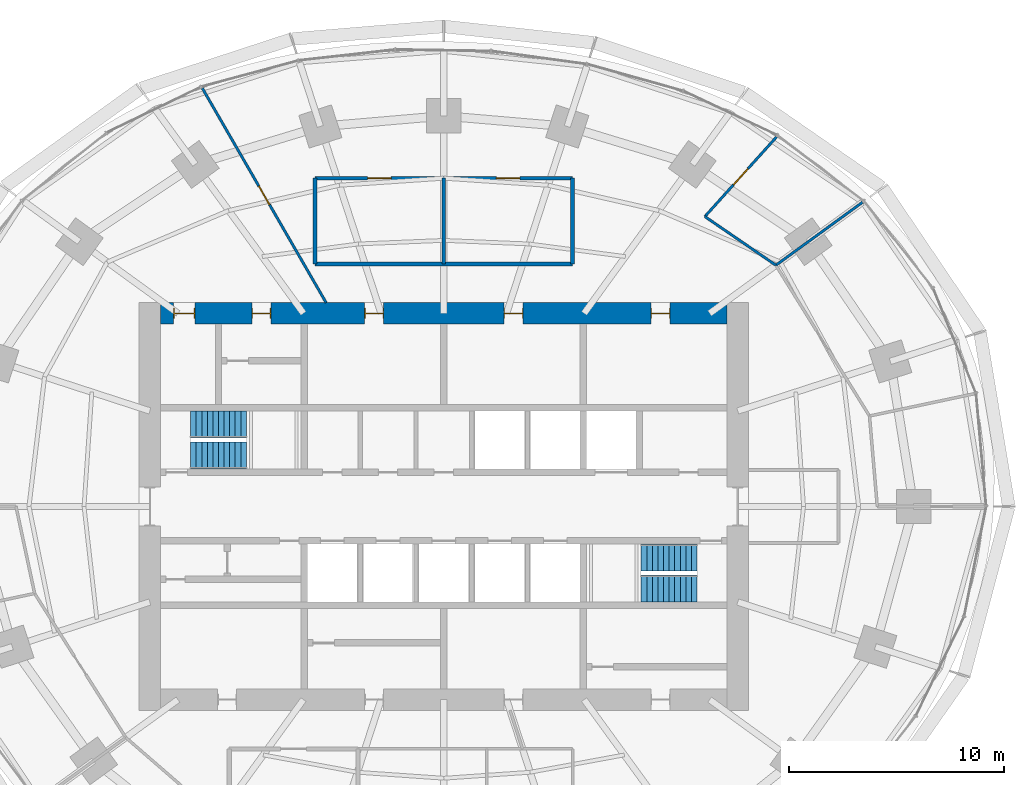
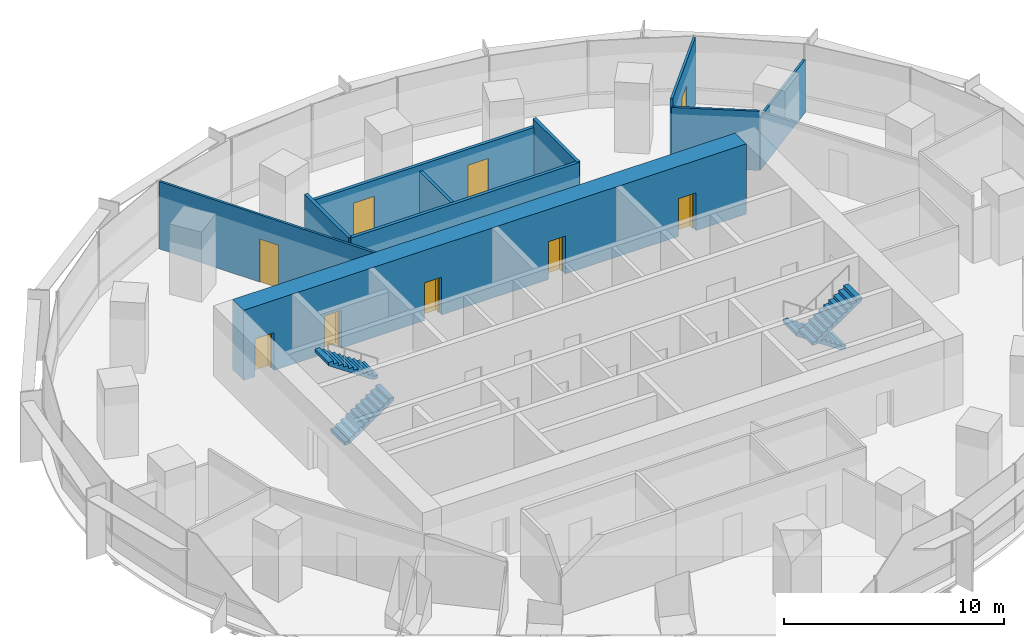
# One storey, part 12 of 14: 10 walls, 9 doors, 4 stair flights, 9 openings, 2 elements without a shape of their own.
"""IFC4 building model written with IfcOpenShell, lengths in metres."""

from ifc_helpers import new_model, si_unit, direction, frame, frame_2d, origin, place, context, subcontext, project, spatial, polyline, rectangle, outline, extrude, material, layer, layer_set, type_object, element, fill, aggregate, save


model = new_model("IFC4")

# Units and contexts
model_context = context("Model", 3, precision=1e-05, world=origin(), true_north=direction((0.0, 1.0)))
body_context = subcontext(model_context, "Body", "Model", "MODEL_VIEW")
ifc_project = project(units=[si_unit("LENGTHUNIT", "METRE"), si_unit("AREAUNIT", "SQUARE_METRE"), si_unit("VOLUMEUNIT", "CUBIC_METRE"), si_unit("PLANEANGLEUNIT", "RADIAN"), si_unit("MASSUNIT", "GRAM", prefix="KILO")], contexts=[model_context])

# Site, building, storey
site_placement = place(None, origin())
site = spatial("IfcSite", under=ifc_project, at=site_placement, CompositionType="ELEMENT")
building_placement = place(site_placement, origin())
building = spatial("IfcBuilding", under=site, at=building_placement, Name="Marramba Exchange Tower", CompositionType="ELEMENT")
storey_placement = place(building_placement, frame((0.0, 0.0, 104.10009765625)))
storey = spatial("IfcBuildingStorey", under=building, at=storey_placement, Name="L24", CompositionType="ELEMENT", Elevation=104.10009765625)

# Wall
ifc_material_1 = material(Name="Plasterboard on staggered double steel studs, acoustic insulation", Category="steel")
ifc_layer_1 = layer(ifc_material_1, 0.169921875)
ifc_layer_set_1 = layer_set([ifc_layer_1], Name="Acoustic partition 170")
wall_type_1 = type_object("IfcWallType", Name="Acoustic partition 170", PredefinedType="PARTITIONING", material=ifc_layer_set_1)
wall_1_placement = place(storey_placement, frame((6.0, 15.300048828125, 0.0), z_axis=(0.0, 0.0, 1.0), x_axis=(0.0, -1.0, 0.0)))
element("IfcWall", 1, at=wall_1_placement, inside=storey, type_object=wall_type_1, Name="Acoustic partition L24 27", PredefinedType="PARTITIONING", context=body_context, shape_type="SweptSolid", body=[
    extrude(rectangle(XDim=4.0, YDim=0.169921875, at=frame_2d((2.0, 0.0))), origin(), (0.0, 0.0, 1.0), 3.739990234375),
])

# Wall, openings, doors
wall_2_placement = place(storey_placement, frame((-6.0, 15.300048828125, 0.0), z_axis=(0.0, 0.0, 1.0), x_axis=(1.0, 0.0, 0.0)))
wall_2 = element("IfcWall", 2, at=wall_2_placement, inside=storey, type_object=wall_type_1, Name="Acoustic partition L24 28", PredefinedType="PARTITIONING", context=body_context, shape_type="SweptSolid", body=[
    extrude(rectangle(XDim=12.0, YDim=0.169921875, at=frame_2d((6.0, 0.0))), origin(), (0.0, 0.0, 1.0), 3.285888671875),
])
opening_1_placement = place(wall_2_placement, frame((2.449951171875, 0.0, 0.0)))
opening_1 = element("IfcOpeningElement", 3, at=opening_1_placement, cuts=wall_2, Name="Opening D15", PredefinedType="OPENING", context=body_context, shape_type="SweptSolid", body=[
    extrude(rectangle(XDim=1.10009765625, YDim=2.39990234375, at=frame_2d((0.550048828125, 1.199951171875))), frame((0.0, 0.094970703125, 0.0), z_axis=(0.0, -1.0, 0.0), x_axis=(1.0, 0.0, 0.0)), (0.0, 0.0, 1.0), 0.18994140625),
])
opening_2_placement = place(wall_2_placement, frame((8.449951171875, 0.0, 0.0)))
opening_2 = element("IfcOpeningElement", 4, at=opening_2_placement, cuts=wall_2, Name="Opening D15", PredefinedType="OPENING", context=body_context, shape_type="SweptSolid", body=[
    extrude(rectangle(XDim=1.10009765625, YDim=2.39990234375, at=frame_2d((0.550048828125, 1.199951171875))), frame((0.0, 0.094970703125, 0.0), z_axis=(0.0, -1.0, 0.0), x_axis=(1.0, 0.0, 0.0)), (0.0, 0.0, 1.0), 0.18994140625),
])
ifc_material_2 = material(Name="Timber door", Category="wood")
door_type_1 = type_object("IfcDoorType", Name="Glazed meeting room door 1100x2400", OperationType="SINGLE_SWING_LEFT", PredefinedType="DOOR", material=ifc_material_2)
door_1_placement = place(opening_1_placement, frame((1.10009765625, 0.0, 0.0), z_axis=(0.0, 0.0, 1.0), x_axis=(-1.0, 0.0, 0.0)))
door_1 = element("IfcDoor", 5, at=door_1_placement, inside=storey, type_object=door_type_1, Name="D15 Meeting Room 1 L24", OperationType="SINGLE_SWING_RIGHT", OverallHeight=2.39990234375, OverallWidth=1.10009765625, PredefinedType="DOOR", context=body_context, shape_type="SweptSolid", body=[
    extrude(rectangle(XDim=1.10009765625, YDim=2.39990234375, at=frame_2d((0.550048828125, 1.199951171875))), frame((0.0, 0.025146484375, 0.0), z_axis=(0.0, -1.0, 0.0), x_axis=(1.0, 0.0, 0.0)), (0.0, 0.0, 1.0), 0.050048828125),
])
fill(opening_1, door_1)
door_2_placement = place(opening_2_placement, frame((1.10009765625, 0.0, 0.0), z_axis=(0.0, 0.0, 1.0), x_axis=(-1.0, 0.0, 0.0)))
door_2 = element("IfcDoor", 6, at=door_2_placement, inside=storey, type_object=door_type_1, Name="D15 Meeting Room 2 L24", OperationType="SINGLE_SWING_RIGHT", OverallHeight=2.39990234375, OverallWidth=1.10009765625, PredefinedType="DOOR", context=body_context, shape_type="SweptSolid", body=[
    extrude(rectangle(XDim=1.10009765625, YDim=2.39990234375, at=frame_2d((0.550048828125, 1.199951171875))), frame((0.0, 0.025146484375, 0.0), z_axis=(0.0, -1.0, 0.0), x_axis=(1.0, 0.0, 0.0)), (0.0, 0.0, 1.0), 0.050048828125),
])
fill(opening_2, door_2)

# Walls
wall_3_placement = place(storey_placement, frame((0.0, 15.300048828125, 0.0), z_axis=(0.0, 0.0, 1.0), x_axis=(0.0, -1.0, 0.0)))
element("IfcWall", 7, at=wall_3_placement, inside=storey, type_object=wall_type_1, Name="Acoustic partition L24 29", PredefinedType="PARTITIONING", context=body_context, shape_type="SweptSolid", body=[
    extrude(rectangle(XDim=4.0, YDim=0.169921875, at=frame_2d((2.0, 0.0))), origin(), (0.0, 0.0, 1.0), 2.93994140625),
])
wall_4_placement = place(storey_placement, frame((6.0, 11.300048828125, 0.0), z_axis=(0.0, 0.0, 1.0), x_axis=(-1.0, 0.0, 0.0)))
element("IfcWall", 8, at=wall_4_placement, inside=storey, type_object=wall_type_1, Name="Acoustic partition L24 30", PredefinedType="PARTITIONING", context=body_context, shape_type="SweptSolid", body=[
    extrude(rectangle(XDim=12.0, YDim=0.169921875, at=frame_2d((6.0, 0.0))), origin(), (0.0, 0.0, 1.0), 3.739990234375),
])
wall_5_placement = place(storey_placement, frame((-6.0, 11.300048828125, 0.0), z_axis=(0.0, 0.0, 1.0), x_axis=(0.0, 1.0, 0.0)))
element("IfcWall", 9, at=wall_5_placement, inside=storey, type_object=wall_type_1, Name="Acoustic partition L24 31", PredefinedType="PARTITIONING", context=body_context, shape_type="SweptSolid", body=[
    extrude(rectangle(XDim=4.0, YDim=0.169921875, at=frame_2d((2.0, 0.0))), origin(), (0.0, 0.0, 1.0), 3.739990234375),
])

# Wall, openings, doors
ifc_material_3 = material(Name="Concrete N50", Category="concrete")
ifc_layer_2 = layer(ifc_material_3, 1.0)
ifc_layer_set_2 = layer_set([ifc_layer_2], Name="Core wall 1000")
wall_type_2 = type_object("IfcWallType", Name="Core wall 1000", PredefinedType="SHEAR", material=ifc_layer_set_2)
wall_6_placement = place(storey_placement, frame((13.199951171875, 9.0, 0.0), z_axis=(0.0, 0.0, 1.0), x_axis=(-1.0, 0.0, 0.0)))
wall_6 = element("IfcWall", 10, at=wall_6_placement, inside=storey, type_object=wall_type_2, Name="Core wall N L24", PredefinedType="SHEAR", context=body_context, shape_type="SweptSolid", body=[
    extrude(rectangle(XDim=26.39990234375, YDim=1.0, at=frame_2d((13.199951171875, 0.0))), origin(), (0.0, 0.0, 1.0), 3.89990234375),
])
opening_3_placement = place(wall_6_placement, frame((2.64990234375, 0.0, 0.0)))
opening_3 = element("IfcOpeningElement", 11, at=opening_3_placement, cuts=wall_6, Name="Opening D5", PredefinedType="OPENING", context=body_context, shape_type="SweptSolid", body=[
    extrude(rectangle(XDim=0.89990234375, YDim=2.10009765625, at=frame_2d((0.449951171875, 1.050048828125))), frame((0.0, 0.510009765625, 0.0), z_axis=(0.0, -1.0, 0.0), x_axis=(1.0, 0.0, 0.0)), (0.0, 0.0, 1.0), 1.02001953125),
])
opening_4_placement = place(wall_6_placement, frame((9.5, 0.0, 0.0)))
opening_4 = element("IfcOpeningElement", 12, at=opening_4_placement, cuts=wall_6, Name="Opening D3", PredefinedType="OPENING", context=body_context, shape_type="SweptSolid", body=[
    extrude(rectangle(XDim=0.89990234375, YDim=2.10009765625, at=frame_2d((0.449951171875, 1.050048828125))), frame((0.0, 0.510009765625, 0.0), z_axis=(0.0, -1.0, 0.0), x_axis=(1.0, 0.0, 0.0)), (0.0, 0.0, 1.0), 1.02001953125),
])
opening_5_placement = place(wall_6_placement, frame((16.0, 0.0, 0.0)))
opening_5 = element("IfcOpeningElement", 13, at=opening_5_placement, cuts=wall_6, Name="Opening D3", PredefinedType="OPENING", context=body_context, shape_type="SweptSolid", body=[
    extrude(rectangle(XDim=0.89990234375, YDim=2.10009765625, at=frame_2d((0.449951171875, 1.050048828125))), frame((0.0, 0.510009765625, 0.0), z_axis=(0.0, -1.0, 0.0), x_axis=(1.0, 0.0, 0.0)), (0.0, 0.0, 1.0), 1.02001953125),
])
opening_6_placement = place(wall_6_placement, frame((21.25, 0.0, 0.0)))
opening_6 = element("IfcOpeningElement", 14, at=opening_6_placement, cuts=wall_6, Name="Opening D5", PredefinedType="OPENING", context=body_context, shape_type="SweptSolid", body=[
    extrude(rectangle(XDim=0.89990234375, YDim=2.10009765625, at=frame_2d((0.449951171875, 1.050048828125))), frame((0.0, 0.510009765625, 0.0), z_axis=(0.0, -1.0, 0.0), x_axis=(1.0, 0.0, 0.0)), (0.0, 0.0, 1.0), 1.02001953125),
])
opening_7_placement = place(wall_6_placement, frame((24.800048828125, 0.0, 0.0)))
opening_7 = element("IfcOpeningElement", 15, at=opening_7_placement, cuts=wall_6, Name="Opening D4", PredefinedType="OPENING", context=body_context, shape_type="SweptSolid", body=[
    extrude(rectangle(XDim=1.0, YDim=2.10009765625, at=frame_2d((0.5, 1.050048828125))), frame((0.0, 0.510009765625, 0.0), z_axis=(0.0, -1.0, 0.0), x_axis=(1.0, 0.0, 0.0)), (0.0, 0.0, 1.0), 1.02001953125),
])
ifc_material_4 = material(Name="Steel-framed door", Category="steel")
door_type_2 = type_object("IfcDoorType", Name="Accessible toilet door 1000x2100", OperationType="SINGLE_SWING_LEFT", PredefinedType="DOOR", material=ifc_material_4)
door_3_placement = place(opening_7_placement, origin())
door_3 = element("IfcDoor", 16, at=door_3_placement, inside=storey, type_object=door_type_2, Name="D4 awc L24", OperationType="SINGLE_SWING_RIGHT", OverallHeight=2.10009765625, OverallWidth=1.0, PredefinedType="DOOR", context=body_context, shape_type="SweptSolid", body=[
    extrude(rectangle(XDim=0.919921875, YDim=2.06005859375, at=frame_2d((0.5, 1.030029296875))), frame((0.0, 0.02490234375, 0.0), z_axis=(0.0, -1.0, 0.0), x_axis=(1.0, 0.0, 0.0)), (0.0, 0.0, 1.0), 0.050048828125),
    extrude(rectangle(XDim=0.04, YDim=2.10009765625, at=frame_2d((0.02001953125, 1.050048828125))), frame((0.0, 0.25, 0.0), z_axis=(0.0, -1.0, 0.0), x_axis=(1.0, 0.0, 0.0)), (0.0, 0.0, 1.0), 0.5),
    extrude(rectangle(XDim=0.04, YDim=2.10009765625, at=frame_2d((0.97998046875, 1.050048828125))), frame((0.0, 0.25, 0.0), z_axis=(0.0, -1.0, 0.0), x_axis=(1.0, 0.0, 0.0)), (0.0, 0.0, 1.0), 0.5),
    extrude(rectangle(XDim=0.919921875, YDim=0.04, at=frame_2d((0.5, 2.080078125))), frame((0.0, 0.25, 0.0), z_axis=(0.0, -1.0, 0.0), x_axis=(1.0, 0.0, 0.0)), (0.0, 0.0, 1.0), 0.5),
])
fill(opening_7, door_3)
door_type_3 = type_object("IfcDoorType", Name="Service door 900x2100", OperationType="SINGLE_SWING_LEFT", PredefinedType="DOOR", material=ifc_material_4)
door_4_placement = place(opening_3_placement, origin())
door_4 = element("IfcDoor", 17, at=door_4_placement, inside=storey, type_object=door_type_3, Name="D5 comms L24", OperationType="SINGLE_SWING_LEFT", OverallHeight=2.10009765625, OverallWidth=0.89990234375, PredefinedType="DOOR", context=body_context, shape_type="SweptSolid", body=[
    extrude(rectangle(XDim=0.81982421875, YDim=2.06005859375, at=frame_2d((0.449951171875, 1.030029296875))), frame((0.0, 0.02490234375, 0.0), z_axis=(0.0, -1.0, 0.0), x_axis=(1.0, 0.0, 0.0)), (0.0, 0.0, 1.0), 0.050048828125),
    extrude(rectangle(XDim=0.04, YDim=2.10009765625, at=frame_2d((0.02001953125, 1.050048828125))), frame((0.0, 0.25, 0.0), z_axis=(0.0, -1.0, 0.0), x_axis=(1.0, 0.0, 0.0)), (0.0, 0.0, 1.0), 0.5),
    extrude(rectangle(XDim=0.04, YDim=2.10009765625, at=frame_2d((0.8798828125, 1.050048828125))), frame((0.0, 0.25, 0.0), z_axis=(0.0, -1.0, 0.0), x_axis=(1.0, 0.0, 0.0)), (0.0, 0.0, 1.0), 0.5),
    extrude(rectangle(XDim=0.81982421875, YDim=0.04, at=frame_2d((0.449951171875, 2.080078125))), frame((0.0, 0.25, 0.0), z_axis=(0.0, -1.0, 0.0), x_axis=(1.0, 0.0, 0.0)), (0.0, 0.0, 1.0), 0.5),
])
fill(opening_3, door_4)
door_5_placement = place(opening_6_placement, origin())
door_5 = element("IfcDoor", 18, at=door_5_placement, inside=storey, type_object=door_type_3, Name="D5 cleaner L24", OperationType="SINGLE_SWING_RIGHT", OverallHeight=2.10009765625, OverallWidth=0.89990234375, PredefinedType="DOOR", context=body_context, shape_type="SweptSolid", body=[
    extrude(rectangle(XDim=0.81982421875, YDim=2.06005859375, at=frame_2d((0.449951171875, 1.030029296875))), frame((0.0, 0.02490234375, 0.0), z_axis=(0.0, -1.0, 0.0), x_axis=(1.0, 0.0, 0.0)), (0.0, 0.0, 1.0), 0.050048828125),
    extrude(rectangle(XDim=0.04, YDim=2.10009765625, at=frame_2d((0.02001953125, 1.050048828125))), frame((0.0, 0.25, 0.0), z_axis=(0.0, -1.0, 0.0), x_axis=(1.0, 0.0, 0.0)), (0.0, 0.0, 1.0), 0.5),
    extrude(rectangle(XDim=0.04, YDim=2.10009765625, at=frame_2d((0.8798828125, 1.050048828125))), frame((0.0, 0.25, 0.0), z_axis=(0.0, -1.0, 0.0), x_axis=(1.0, 0.0, 0.0)), (0.0, 0.0, 1.0), 0.5),
    extrude(rectangle(XDim=0.81982421875, YDim=0.04, at=frame_2d((0.449951171875, 2.080078125))), frame((0.0, 0.25, 0.0), z_axis=(0.0, -1.0, 0.0), x_axis=(1.0, 0.0, 0.0)), (0.0, 0.0, 1.0), 0.5),
])
fill(opening_6, door_5)
door_type_4 = type_object("IfcDoorType", Name="Toilet door 900x2100", OperationType="SINGLE_SWING_LEFT", PredefinedType="DOOR", material=ifc_material_4)
door_6_placement = place(opening_4_placement, origin())
door_6 = element("IfcDoor", 19, at=door_6_placement, inside=storey, type_object=door_type_4, Name="D3 wc-f L24", OperationType="SINGLE_SWING_RIGHT", OverallHeight=2.10009765625, OverallWidth=0.89990234375, PredefinedType="DOOR", context=body_context, shape_type="SweptSolid", body=[
    extrude(rectangle(XDim=0.81982421875, YDim=2.06005859375, at=frame_2d((0.449951171875, 1.030029296875))), frame((0.0, 0.02490234375, 0.0), z_axis=(0.0, -1.0, 0.0), x_axis=(1.0, 0.0, 0.0)), (0.0, 0.0, 1.0), 0.050048828125),
    extrude(rectangle(XDim=0.04, YDim=2.10009765625, at=frame_2d((0.02001953125, 1.050048828125))), frame((0.0, 0.25, 0.0), z_axis=(0.0, -1.0, 0.0), x_axis=(1.0, 0.0, 0.0)), (0.0, 0.0, 1.0), 0.5),
    extrude(rectangle(XDim=0.04, YDim=2.10009765625, at=frame_2d((0.8798828125, 1.050048828125))), frame((0.0, 0.25, 0.0), z_axis=(0.0, -1.0, 0.0), x_axis=(1.0, 0.0, 0.0)), (0.0, 0.0, 1.0), 0.5),
    extrude(rectangle(XDim=0.81982421875, YDim=0.04, at=frame_2d((0.449951171875, 2.080078125))), frame((0.0, 0.25, 0.0), z_axis=(0.0, -1.0, 0.0), x_axis=(1.0, 0.0, 0.0)), (0.0, 0.0, 1.0), 0.5),
])
fill(opening_4, door_6)
door_7_placement = place(opening_5_placement, origin())
door_7 = element("IfcDoor", 20, at=door_7_placement, inside=storey, type_object=door_type_4, Name="D3 wc-m L24", OperationType="SINGLE_SWING_RIGHT", OverallHeight=2.10009765625, OverallWidth=0.89990234375, PredefinedType="DOOR", context=body_context, shape_type="SweptSolid", body=[
    extrude(rectangle(XDim=0.81982421875, YDim=2.06005859375, at=frame_2d((0.449951171875, 1.030029296875))), frame((0.0, 0.02490234375, 0.0), z_axis=(0.0, -1.0, 0.0), x_axis=(1.0, 0.0, 0.0)), (0.0, 0.0, 1.0), 0.050048828125),
    extrude(rectangle(XDim=0.04, YDim=2.10009765625, at=frame_2d((0.02001953125, 1.050048828125))), frame((0.0, 0.25, 0.0), z_axis=(0.0, -1.0, 0.0), x_axis=(1.0, 0.0, 0.0)), (0.0, 0.0, 1.0), 0.5),
    extrude(rectangle(XDim=0.04, YDim=2.10009765625, at=frame_2d((0.8798828125, 1.050048828125))), frame((0.0, 0.25, 0.0), z_axis=(0.0, -1.0, 0.0), x_axis=(1.0, 0.0, 0.0)), (0.0, 0.0, 1.0), 0.5),
    extrude(rectangle(XDim=0.81982421875, YDim=0.04, at=frame_2d((0.449951171875, 2.080078125))), frame((0.0, 0.25, 0.0), z_axis=(0.0, -1.0, 0.0), x_axis=(1.0, 0.0, 0.0)), (0.0, 0.0, 1.0), 0.5),
])
fill(opening_5, door_7)

# Walls
ifc_material_5 = material(Name="Plasterboard on steel studs", Category="steel")
ifc_layer_3 = layer(ifc_material_5, 0.1201171875)
ifc_layer_set_3 = layer_set([ifc_layer_3], Name="Partition 120")
wall_type_3 = type_object("IfcWallType", Name="Partition 120", PredefinedType="PARTITIONING", material=ifc_layer_set_3)
wall_7_placement = place(storey_placement, frame((19.521484375, 14.18310546875, 0.0), z_axis=(0.0, 0.0, 1.0), x_axis=(-0.809025274756, -0.587773855157, 0.0)))
element("IfcWall", 21, at=wall_7_placement, inside=storey, type_object=wall_type_3, Name="Partition L24 24", PredefinedType="PARTITIONING", context=body_context, shape_type="SweptSolid", body=[
    extrude(rectangle(XDim=4.999755859375, YDim=0.1201171875, at=frame_2d((2.5, 0.0))), origin(), (0.0, 0.0, 1.0), 2.93994140625),
])
wall_8_placement = place(storey_placement, frame((12.166748046875, 13.512451171875, 0.0), z_axis=(0.0, 0.0, 1.0), x_axis=(0.824905575903, -0.565270546591, 0.0)))
element("IfcWall", 22, at=wall_8_placement, inside=storey, type_object=wall_type_3, Name="Partition L24 25", PredefinedType="PARTITIONING", context=body_context, shape_type="SweptSolid", body=[
    extrude(rectangle(XDim=4.012451171875, YDim=0.1201171875, at=frame_2d((2.00634765625, 0.0))), origin(), (0.0, 0.0, 1.0), 3.285888671875),
])

# Wall, opening, door
wall_9_placement = place(storey_placement, frame((15.512451171875, 17.228271484375, 0.0), z_axis=(0.0, 0.0, 1.0), x_axis=(-0.669126573551, -0.743148456614, 0.0)))
wall_9 = element("IfcWall", 23, at=wall_9_placement, inside=storey, type_object=wall_type_3, Name="Partition L24 26", PredefinedType="PARTITIONING", context=body_context, shape_type="SweptSolid", body=[
    extrude(rectangle(XDim=5.0, YDim=0.1201171875, at=frame_2d((2.5, 0.0))), origin(), (0.0, 0.0, 1.0), 3.739990234375),
])
opening_8_placement = place(wall_9_placement, frame((2.0, 0.0, 0.0)))
opening_8 = element("IfcOpeningElement", 24, at=opening_8_placement, cuts=wall_9, Name="Opening D9", PredefinedType="OPENING", context=body_context, shape_type="SweptSolid", body=[
    extrude(rectangle(XDim=1.0, YDim=2.39990234375, at=frame_2d((0.5, 1.199951171875))), frame((0.0, 0.070068359375, 0.0), z_axis=(0.0, -1.0, 0.0), x_axis=(1.0, 0.0, 0.0)), (0.0, 0.0, 1.0), 0.14013671875),
])
door_type_5 = type_object("IfcDoorType", Name="Room door 1000x2400", OperationType="SINGLE_SWING_LEFT", PredefinedType="DOOR", material=ifc_material_2)
door_8_placement = place(opening_8_placement, origin())
door_8 = element("IfcDoor", 25, at=door_8_placement, inside=storey, type_object=door_type_5, Name="D9 Compliance Office 1 L24", OperationType="SINGLE_SWING_RIGHT", OverallHeight=2.39990234375, OverallWidth=1.0, PredefinedType="DOOR", context=body_context, shape_type="SweptSolid", body=[
    extrude(rectangle(XDim=1.0, YDim=2.39990234375, at=frame_2d((0.5, 1.199951171875))), frame((0.0, 0.02490234375, 0.0), z_axis=(0.0, -1.0, 0.0), x_axis=(1.0, 0.0, 0.0)), (0.0, 0.0, 1.0), 0.050048828125),
])
fill(opening_8, door_8)

wall_10_placement = place(storey_placement, frame((-5.48486328125, 9.5, 0.0), z_axis=(0.0, 0.0, 1.0), x_axis=(-0.500002645523, 0.866023876385, 0.0)))
wall_10 = element("IfcWall", 26, at=wall_10_placement, inside=storey, type_object=wall_type_3, Name="Partition L24 32", PredefinedType="PARTITIONING", context=body_context, shape_type="SweptSolid", body=[
    extrude(rectangle(XDim=11.5400390625, YDim=0.1201171875, at=frame_2d((5.77001953125, 0.0))), origin(), (0.0, 0.0, 1.0), 3.739990234375),
])
opening_9_placement = place(wall_10_placement, frame((5.27001953125, 0.0, 0.0)))
opening_9 = element("IfcOpeningElement", 27, at=opening_9_placement, cuts=wall_10, Name="Opening D9", PredefinedType="OPENING", context=body_context, shape_type="SweptSolid", body=[
    extrude(rectangle(XDim=1.0, YDim=2.39990234375, at=frame_2d((0.5, 1.199951171875))), frame((0.0, 0.070068359375, 0.0), z_axis=(0.0, -1.0, 0.0), x_axis=(1.0, 0.0, 0.0)), (0.0, 0.0, 1.0), 0.14013671875),
])
door_9_placement = place(opening_9_placement, origin())
door_9 = element("IfcDoor", 28, at=door_9_placement, inside=storey, type_object=door_type_5, Name="D9 Market Supervision Office L24", OperationType="SINGLE_SWING_LEFT", OverallHeight=2.39990234375, OverallWidth=1.0, PredefinedType="DOOR", context=body_context, shape_type="SweptSolid", body=[
    extrude(rectangle(XDim=1.0, YDim=2.39990234375, at=frame_2d((0.5, 1.199951171875))), frame((0.0, 0.02490234375, 0.0), z_axis=(0.0, -1.0, 0.0), x_axis=(1.0, 0.0, 0.0)), (0.0, 0.0, 1.0), 0.050048828125),
])
fill(opening_9, door_9)

# Stair, stair flights
ifc_material_6 = material(Name="Concrete N40 (40 MPa)", Category="concrete")
stair_type_1 = type_object("IfcStairType", Name="Exit stair ST1 3900 x 1250", PredefinedType="HALF_TURN_STAIR", material=ifc_material_6)
stair_1_placement = place(storey_placement, origin())
stair_1 = element("IfcStair", 29, at=stair_1_placement, inside=storey, type_object=stair_type_1, Name="Exit stair ST1 L24", PredefinedType="HALF_TURN_STAIR")
stair_flight_type_1 = type_object("IfcStairFlightType", Name="ST1 stair flight 1773 riser 1250 wide", PredefinedType="STRAIGHT", material=ifc_material_6)
stair_flight_1_placement = place(storey_placement, frame((-11.800048828125, 2.375, 0.0), z_axis=(0.0, 0.0, 1.0), x_axis=(1.0, 0.0, 0.0)))
stair_flight_1 = element("IfcStairFlight", 30, at=stair_flight_1_placement, type_object=stair_flight_type_1, Name="ST1 flight 1", NumberOfRisers=11, NumberOfTreads=10, PredefinedType="STRAIGHT", RiserHeight=0.177272727, TreadLength=0.26, context=body_context, shape_type="SweptSolid", body=[
    extrude(outline(polyline([(0.0, 0.0), (0.0, 0.17724609375), (0.260009765625, 0.17724609375), (0.260009765625, 0.3544921875), (0.52001953125, 0.3544921875), (0.52001953125, 0.53173828125), (0.780029296875, 0.53173828125), (0.780029296875, 0.708984375), (1.0400390625, 0.708984375), (1.0400390625, 0.886474609375), (1.300048828125, 0.886474609375), (1.300048828125, 1.063720703125), (1.56005859375, 1.063720703125), (1.56005859375, 1.240966796875), (1.820068359375, 1.240966796875), (1.820068359375, 1.418212890625), (2.080078125, 1.418212890625), (2.080078125, 1.595458984375), (2.340087890625, 1.595458984375), (2.340087890625, 1.772705078125), (2.60009765625, 1.772705078125), (2.60009765625, 1.949951171875), (2.60009765625, 1.59130859375), (0.26611328125, 0.0), (0.0, 0.0)])), frame((0.0, 0.625, 0.0), z_axis=(0.0, -1.0, 0.0), x_axis=(1.0, 0.0, 0.0)), (0.0, 0.0, 1.0), 1.25),
])
stair_flight_2_placement = place(storey_placement, frame((-9.199951171875, 3.824951171875, 1.949951171875), z_axis=(0.0, 0.0, 1.0), x_axis=(-1.0, 0.0, 0.0)))
stair_flight_2 = element("IfcStairFlight", 31, at=stair_flight_2_placement, type_object=stair_flight_type_1, Name="ST1 flight 2", NumberOfRisers=11, NumberOfTreads=10, PredefinedType="STRAIGHT", RiserHeight=0.177272727, TreadLength=0.26, context=body_context, shape_type="SweptSolid", body=[
    extrude(outline(polyline([(0.0, 0.0), (0.0, 0.17724609375), (0.260009765625, 0.17724609375), (0.260009765625, 0.3544921875), (0.52001953125, 0.3544921875), (0.52001953125, 0.53173828125), (0.780029296875, 0.53173828125), (0.780029296875, 0.708984375), (1.0400390625, 0.708984375), (1.0400390625, 0.886474609375), (1.300048828125, 0.886474609375), (1.300048828125, 1.063720703125), (1.56005859375, 1.063720703125), (1.56005859375, 1.240966796875), (1.820068359375, 1.240966796875), (1.820068359375, 1.418212890625), (2.080078125, 1.418212890625), (2.080078125, 1.595458984375), (2.340087890625, 1.595458984375), (2.340087890625, 1.772705078125), (2.60009765625, 1.772705078125), (2.60009765625, 1.949951171875), (2.60009765625, 1.59130859375), (0.26611328125, 0.0), (0.0, 0.0)])), frame((0.0, 0.625, 0.0), z_axis=(0.0, -1.0, 0.0), x_axis=(1.0, 0.0, 0.0)), (0.0, 0.0, 1.0), 1.25),
])
aggregate(stair_1, [stair_flight_1, stair_flight_2])

stair_type_2 = type_object("IfcStairType", Name="Exit stair ST2 3900 x 1250", PredefinedType="HALF_TURN_STAIR", material=ifc_material_6)
stair_2_placement = place(storey_placement, origin())
stair_2 = element("IfcStair", 32, at=stair_2_placement, inside=storey, type_object=stair_type_2, Name="Exit stair ST2 L24", PredefinedType="HALF_TURN_STAIR")
stair_flight_type_2 = type_object("IfcStairFlightType", Name="ST2 stair flight 1773 riser 1250 wide", PredefinedType="STRAIGHT", material=ifc_material_6)
stair_flight_3_placement = place(storey_placement, frame((11.800048828125, -2.375, 0.0), z_axis=(0.0, 0.0, 1.0), x_axis=(-1.0, 0.0, 0.0)))
stair_flight_3 = element("IfcStairFlight", 33, at=stair_flight_3_placement, type_object=stair_flight_type_2, Name="ST2 flight 1", NumberOfRisers=11, NumberOfTreads=10, PredefinedType="STRAIGHT", RiserHeight=0.177272727, TreadLength=0.26, context=body_context, shape_type="SweptSolid", body=[
    extrude(outline(polyline([(0.0, 0.0), (0.0, 0.17724609375), (0.260009765625, 0.17724609375), (0.260009765625, 0.3544921875), (0.52001953125, 0.3544921875), (0.52001953125, 0.53173828125), (0.780029296875, 0.53173828125), (0.780029296875, 0.708984375), (1.0400390625, 0.708984375), (1.0400390625, 0.886474609375), (1.300048828125, 0.886474609375), (1.300048828125, 1.063720703125), (1.56005859375, 1.063720703125), (1.56005859375, 1.240966796875), (1.820068359375, 1.240966796875), (1.820068359375, 1.418212890625), (2.080078125, 1.418212890625), (2.080078125, 1.595458984375), (2.340087890625, 1.595458984375), (2.340087890625, 1.772705078125), (2.60009765625, 1.772705078125), (2.60009765625, 1.949951171875), (2.60009765625, 1.59130859375), (0.26611328125, 0.0), (0.0, 0.0)])), frame((0.0, 0.625, 0.0), z_axis=(0.0, -1.0, 0.0), x_axis=(1.0, 0.0, 0.0)), (0.0, 0.0, 1.0), 1.25),
])
stair_flight_4_placement = place(storey_placement, frame((9.199951171875, -3.824951171875, 1.949951171875), z_axis=(0.0, 0.0, 1.0), x_axis=(1.0, 0.0, 0.0)))
stair_flight_4 = element("IfcStairFlight", 34, at=stair_flight_4_placement, type_object=stair_flight_type_2, Name="ST2 flight 2", NumberOfRisers=11, NumberOfTreads=10, PredefinedType="STRAIGHT", RiserHeight=0.177272727, TreadLength=0.26, context=body_context, shape_type="SweptSolid", body=[
    extrude(outline(polyline([(0.0, 0.0), (0.0, 0.17724609375), (0.260009765625, 0.17724609375), (0.260009765625, 0.3544921875), (0.52001953125, 0.3544921875), (0.52001953125, 0.53173828125), (0.780029296875, 0.53173828125), (0.780029296875, 0.708984375), (1.0400390625, 0.708984375), (1.0400390625, 0.886474609375), (1.300048828125, 0.886474609375), (1.300048828125, 1.063720703125), (1.56005859375, 1.063720703125), (1.56005859375, 1.240966796875), (1.820068359375, 1.240966796875), (1.820068359375, 1.418212890625), (2.080078125, 1.418212890625), (2.080078125, 1.595458984375), (2.340087890625, 1.595458984375), (2.340087890625, 1.772705078125), (2.60009765625, 1.772705078125), (2.60009765625, 1.949951171875), (2.60009765625, 1.59130859375), (0.26611328125, 0.0), (0.0, 0.0)])), frame((0.0, 0.625, 0.0), z_axis=(0.0, -1.0, 0.0), x_axis=(1.0, 0.0, 0.0)), (0.0, 0.0, 1.0), 1.25),
])
aggregate(stair_2, [stair_flight_3, stair_flight_4])

save(model, "model.ifc")
